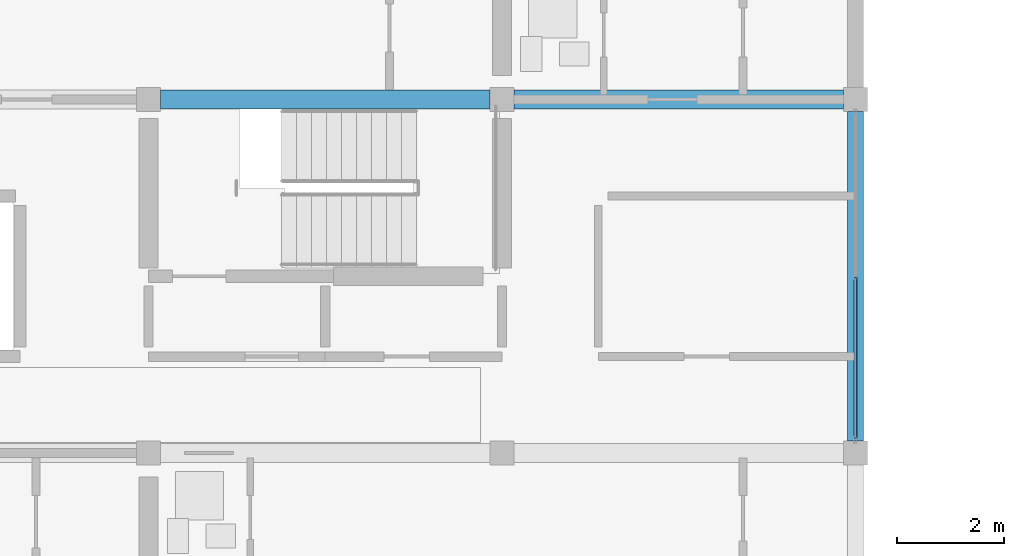
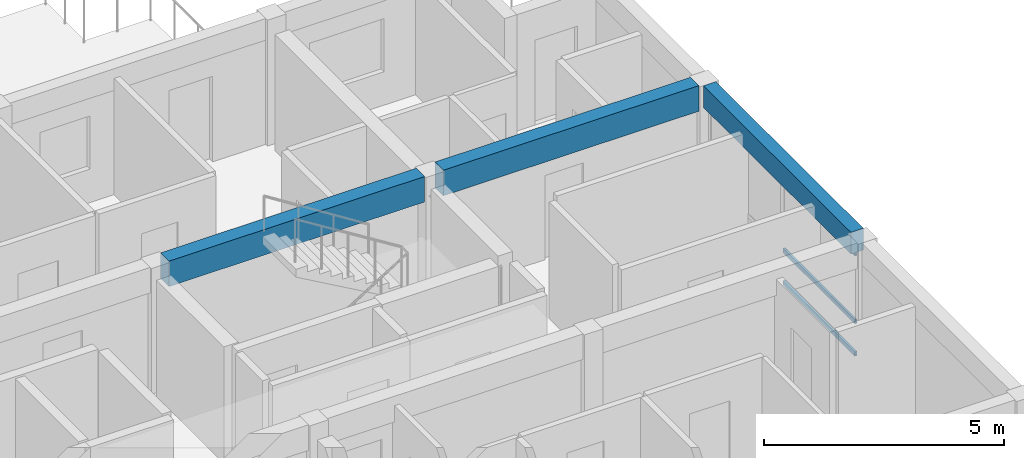
# One storey, part 8 of 51: 3 beams, 3 members, 1 element without a shape of its own.
"""IFC4 building model written with IfcOpenShell, lengths in metres."""

from ifc_helpers import new_model, si_unit, direction, frame, origin, origin_2d, place, context, subcontext, project, spatial, rectangle, hollow_rectangle, extrude, material, material_profile, profile_set, type_object, element, aggregate, save


model = new_model("IFC4")

# Units and contexts
model_context = context("Model", 3, precision=1e-05, world=origin(), true_north=direction((0.0, 1.0)))
body_context = subcontext(model_context, "Body", "Model", "MODEL_VIEW")
ifc_project = project(units=[si_unit("LENGTHUNIT", "METRE"), si_unit("AREAUNIT", "SQUARE_METRE"), si_unit("VOLUMEUNIT", "CUBIC_METRE"), si_unit("PLANEANGLEUNIT", "RADIAN"), si_unit("MASSUNIT", "GRAM", prefix="KILO")], contexts=[model_context])

# Site, building, storey
site_placement = place(None, origin())
site = spatial("IfcSite", under=ifc_project, at=site_placement, CompositionType="ELEMENT")
building_placement = place(site_placement, origin())
building = spatial("IfcBuilding", under=site, at=building_placement, Name="Kernevlak Ridge Housing Community", CompositionType="ELEMENT")
storey_placement = place(building_placement, frame((0.0, 0.0, 8.39990234375)))
storey = spatial("IfcBuildingStorey", under=building, at=storey_placement, Name="L02", CompositionType="ELEMENT", Elevation=8.39990234375)

# Beams
ifc_material_1 = material(Name="Concrete C35/45", Category="concrete")
ifc_material_profile_1 = material_profile(ifc_material_1, rectangle(XDim=0.35009765625, YDim=0.64990234375, at=origin_2d()), Name="RC 350x650")
ifc_profile_set_1 = profile_set([ifc_material_profile_1], Name="Concrete C35/45")
beam_type_1 = type_object("IfcBeamType", Name="B-02", PredefinedType="BEAM", material=ifc_profile_set_1)
beam_1_placement = place(storey_placement, frame((29.02490234375, 28.800048828125, 2.875), z_axis=(1.0, 0.0, 0.0), x_axis=(0.0, 1.0, 0.0)))
element("IfcBeam", 1, at=beam_1_placement, inside=storey, type_object=beam_type_1, Name="Beam B-02 L02 1376", PredefinedType="BEAM", context=body_context, shape_type="SweptSolid", body=[
    extrude(rectangle(XDim=0.35009765625, YDim=0.64990234375, at=origin_2d()), origin(), (0.0, 0.0, 1.0), 6.150146484375),
])
beam_2_placement = place(storey_placement, frame((35.625, 28.800048828125, 2.875), z_axis=(1.0, 0.0, 0.0), x_axis=(0.0, 1.0, 0.0)))
element("IfcBeam", 2, at=beam_2_placement, inside=storey, type_object=beam_type_1, Name="Beam B-02 L02 1377", PredefinedType="BEAM", context=body_context, shape_type="SweptSolid", body=[
    extrude(rectangle(XDim=0.35009765625, YDim=0.64990234375, at=origin_2d()), origin(), (0.0, 0.0, 1.0), 6.14990234375),
])
ifc_material_profile_2 = material_profile(ifc_material_1, rectangle(XDim=0.300048828125, YDim=0.550048828125, at=origin_2d()), Name="RC 300x550")
ifc_profile_set_2 = profile_set([ifc_material_profile_2], Name="Concrete C35/45")
beam_type_2 = type_object("IfcBeamType", Name="SP-01", PredefinedType="SPANDREL", material=ifc_profile_set_2)
beam_3_placement = place(storey_placement, frame((42.0, 22.425048828125, 2.925048828125), z_axis=(0.0, 1.0, 0.0), x_axis=(-1.0, 0.0, 0.0)))
element("IfcBeam", 3, at=beam_3_placement, inside=storey, type_object=beam_type_2, Name="Beam SP-01 L02 1386", PredefinedType="SPANDREL", context=body_context, shape_type="SweptSolid", body=[
    extrude(rectangle(XDim=0.300048828125, YDim=0.550048828125, at=origin_2d()), origin(), (0.0, 0.0, 1.0), 6.14990234375),
])

# Curtain wall, members
ifc_material_2 = material(Name="Aluminium EN AW-6060 anodised and laminated glass", Category="aluminium")
curtain_wall_type = type_object("IfcCurtainWallType", Name="CW-04", PredefinedType="NOTDEFINED", material=ifc_material_2)
curtain_wall_placement = place(storey_placement, origin())
curtain_wall = element("IfcCurtainWall", 4, at=curtain_wall_placement, inside=storey, type_object=curtain_wall_type, Name="Curtain wall CW-04 CW-L02-147", PredefinedType="NOTDEFINED")
ifc_material_3 = material(Name="Aluminium EN AW-6060 anodised", Category="aluminium")
ifc_material_profile_3 = material_profile(ifc_material_3, hollow_rectangle(XDim=0.054931640625, YDim=0.110107421875, WallThickness=0.00390625, InnerFilletRadius=0.001953125, OuterFilletRadius=0.00390625, at=origin_2d()), Name="ALU 55x110x4")
ifc_profile_set_3 = profile_set([ifc_material_profile_3], Name="Aluminium EN AW-6060 anodised")
member_type = type_object("IfcMemberType", Name="TM-01", PredefinedType="USERDEFINED", material=ifc_profile_set_3)
member_1_placement = place(storey_placement, frame((42.0, 22.47998046875, 0.027587890625), z_axis=(0.0, 1.0, 0.0), x_axis=(-1.0, 0.0, 0.0)))
member_1 = element("IfcMember", 5, at=member_1_placement, type_object=member_type, Name="CW-04 transom 1.1", ObjectType="TRANSOM", PredefinedType="USERDEFINED", context=body_context, shape_type="SweptSolid", body=[
    extrude(hollow_rectangle(XDim=0.054931640625, YDim=0.110107421875, WallThickness=0.00390625, InnerFilletRadius=0.001953125, OuterFilletRadius=0.00390625, at=origin_2d()), origin(), (0.0, 0.0, 1.0), 2.992431640625),
])
member_2_placement = place(storey_placement, frame((42.0, 22.47998046875, 0.85009765625), z_axis=(0.0, 1.0, 0.0), x_axis=(-1.0, 0.0, 0.0)))
member_2 = element("IfcMember", 6, at=member_2_placement, type_object=member_type, Name="CW-04 transom 1.2", ObjectType="TRANSOM", PredefinedType="USERDEFINED", context=body_context, shape_type="SweptSolid", body=[
    extrude(hollow_rectangle(XDim=0.054931640625, YDim=0.110107421875, WallThickness=0.00390625, InnerFilletRadius=0.001953125, OuterFilletRadius=0.00390625, at=origin_2d()), origin(), (0.0, 0.0, 1.0), 2.992431640625),
])
member_3_placement = place(storey_placement, frame((42.0, 22.47998046875, 2.572509765625), z_axis=(0.0, 1.0, 0.0), x_axis=(-1.0, 0.0, 0.0)))
member_3 = element("IfcMember", 7, at=member_3_placement, type_object=member_type, Name="CW-04 transom 1.3", ObjectType="TRANSOM", PredefinedType="USERDEFINED", context=body_context, shape_type="SweptSolid", body=[
    extrude(hollow_rectangle(XDim=0.054931640625, YDim=0.110107421875, WallThickness=0.00390625, InnerFilletRadius=0.001953125, OuterFilletRadius=0.00390625, at=origin_2d()), origin(), (0.0, 0.0, 1.0), 2.992431640625),
])
aggregate(curtain_wall, [member_1, member_2, member_3])

save(model, "model.ifc")
